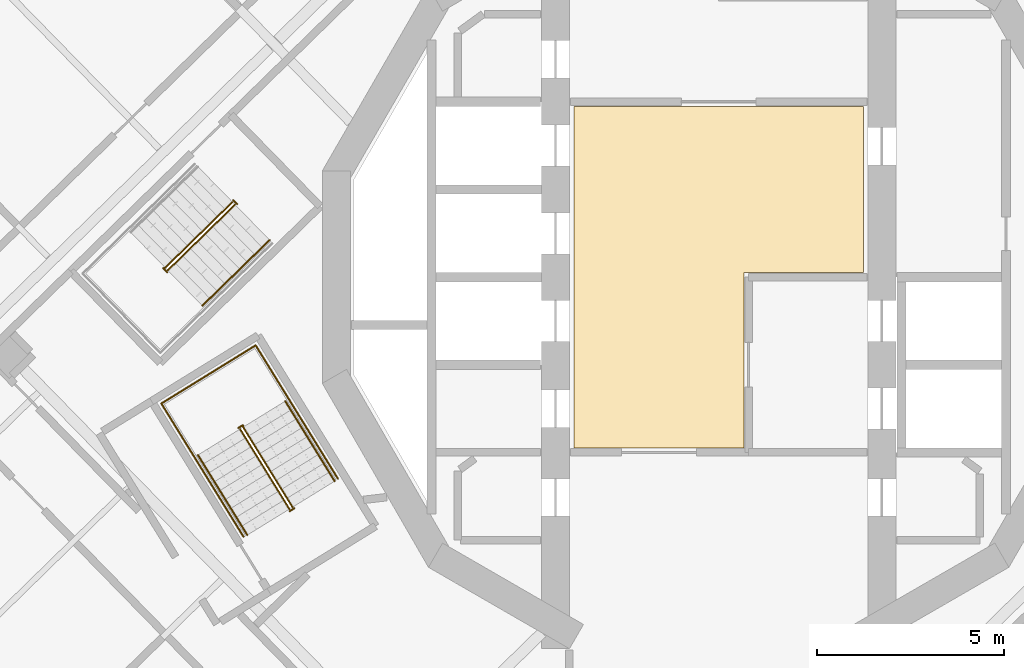
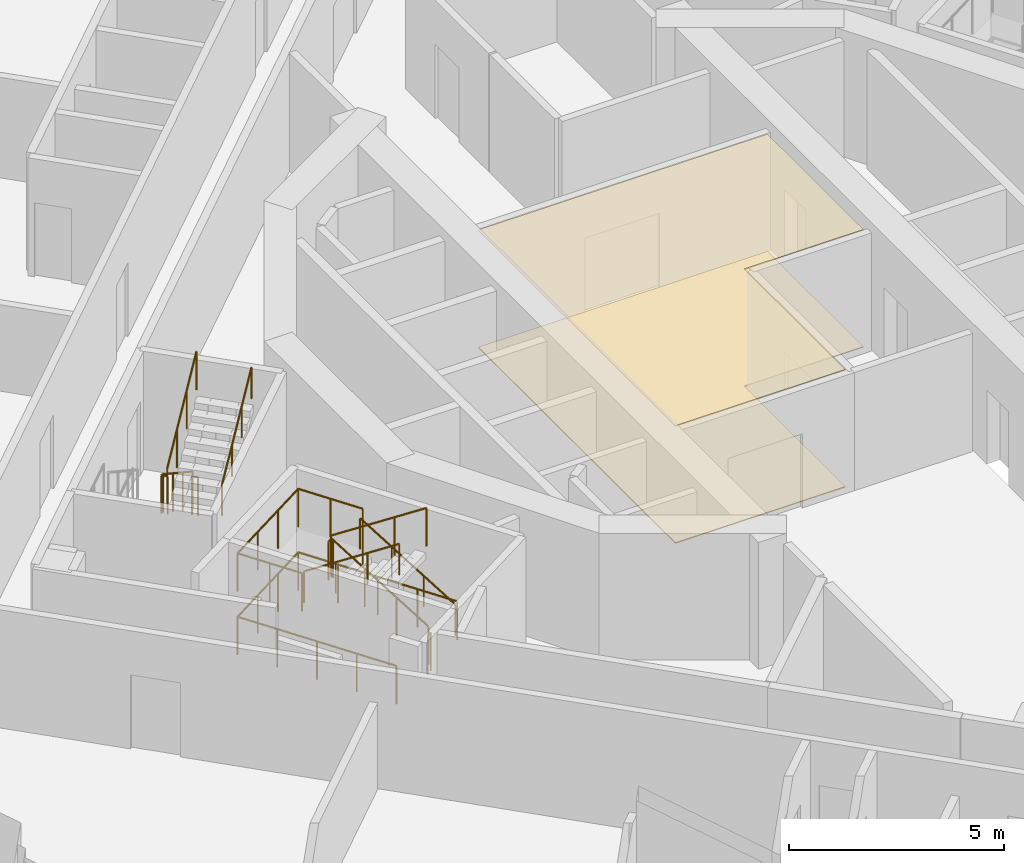
# One storey, part 16 of 20: 11 railings, 2 coverings.
"""IFC4 building model written with IfcOpenShell, lengths in metres."""

from ifc_helpers import new_model, si_unit, direction, frame, origin, origin_2d, place, context, subcontext, project, spatial, polyline, circle, outline, extrude, material, layer, layer_set, type_object, element, save


model = new_model("IFC4")

# Units and contexts
model_context = context("Model", 3, precision=1e-05, world=origin(), true_north=direction((0.0, 1.0)))
body_context = subcontext(model_context, "Body", "Model", "MODEL_VIEW")
ifc_project = project(units=[si_unit("LENGTHUNIT", "METRE"), si_unit("AREAUNIT", "SQUARE_METRE"), si_unit("VOLUMEUNIT", "CUBIC_METRE"), si_unit("PLANEANGLEUNIT", "RADIAN"), si_unit("MASSUNIT", "GRAM", prefix="KILO")], contexts=[model_context])

# Site, building, storey
site_placement = place(None, origin())
site = spatial("IfcSite", under=ifc_project, at=site_placement, CompositionType="ELEMENT")
building_placement = place(site_placement, origin())
building = spatial("IfcBuilding", under=site, at=building_placement, Name="Cantera Rosa Tower", CompositionType="ELEMENT")
storey_placement = place(building_placement, frame((0.0, 0.0, 212.60009765625)))
storey = spatial("IfcBuildingStorey", under=building, at=storey_placement, Name="L45", CompositionType="ELEMENT", Elevation=212.60009765625)

# Railings
ifc_material_1 = material(Name="Steel S355J2 (EN 10025-2)", Category="steel")
railing_type_1 = type_object("IfcRailingType", Name="STAIR GUARD 1100", PredefinedType="GUARDRAIL", material=ifc_material_1)
railing_1_placement = place(storey_placement, frame((-13.032958984375, 2.013427734375, 0.179931640625)))
element("IfcRailing", 1, at=railing_1_placement, inside=storey, type_object=railing_type_1, Name="L45 ST-43 stair guard 1", PredefinedType="GUARDRAIL", context=body_context, shape_type="SweptSolid", body=[
    extrude(circle(Radius=0.02392578125, at=origin_2d()), frame((0.0, 0.0, 1.076171875), z_axis=(-0.60169873645, -0.587844099419, 0.540738333515), x_axis=(0.698823692472, -0.715293958342, 0.0)), (0.0, 0.0, 1.0), 2.99560546875),
    extrude(circle(Radius=0.02392578125, at=origin_2d()), frame((-1.802490234375, -1.760986328125, 2.69580078125), z_axis=(-0.956987977523, -0.290127576896, 0.0), x_axis=(0.290127576896, -0.956987977523, 0.0)), (0.0, 0.0, 1.0), 0.056396484375),
    extrude(circle(Radius=0.02392578125, at=origin_2d()), frame((-1.8564453125, -1.77734375, 2.69580078125), z_axis=(0.698932947801, -0.715187202401, 0.0), x_axis=(0.715187202401, 0.698932947801, 0.0)), (0.0, 0.0, 1.0), 0.150146484375),
    extrude(circle(Radius=0.02099609375, at=origin_2d()), origin(), (0.0, 0.0, 1.0), 1.052001953125),
    extrude(circle(Radius=0.02099609375, at=origin_2d()), frame((-0.600830078125, -0.5869140625, 0.5400390625)), (0.0, 0.0, 1.0), 1.052001953125),
    extrude(circle(Radius=0.02099609375, at=origin_2d()), frame((-1.20166015625, -1.174072265625, 1.079833984375)), (0.0, 0.0, 1.0), 1.052001953125),
    extrude(circle(Radius=0.02099609375, at=origin_2d()), frame((-1.802490234375, -1.760986328125, 1.619873046875)), (0.0, 0.0, 1.0), 1.052001953125),
    extrude(circle(Radius=0.02099609375, at=origin_2d()), frame((-1.8564453125, -1.77734375, 1.619873046875)), (0.0, 0.0, 1.0), 1.052001953125),
    extrude(circle(Radius=0.02099609375, at=origin_2d()), frame((-1.75146484375, -1.884765625, 1.619873046875)), (0.0, 0.0, 1.0), 1.052001953125),
])
railing_2_placement = place(storey_placement, frame((-14.766845703125, 0.182373046875, 1.97998046875)))
element("IfcRailing", 2, at=railing_2_placement, inside=storey, type_object=railing_type_1, Name="L45 ST-43 stair guard 2", PredefinedType="GUARDRAIL", context=body_context, shape_type="SweptSolid", body=[
    extrude(circle(Radius=0.02392578125, at=origin_2d()), frame((0.0, 0.0, 1.076171875), z_axis=(0.60169873645, 0.587844099419, 0.540738333515), x_axis=(-0.698823692472, 0.715293958342, 0.0)), (0.0, 0.0, 1.0), 2.99560546875),
    extrude(circle(Radius=0.02099609375, at=origin_2d()), origin(), (0.0, 0.0, 1.0), 1.052001953125),
    extrude(circle(Radius=0.02099609375, at=origin_2d()), frame((0.600830078125, 0.5869140625, 0.5400390625)), (0.0, 0.0, 1.0), 1.052001953125),
    extrude(circle(Radius=0.02099609375, at=origin_2d()), frame((1.20166015625, 1.174072265625, 1.079833984375)), (0.0, 0.0, 1.0), 1.052001953125),
    extrude(circle(Radius=0.02099609375, at=origin_2d()), frame((1.802490234375, 1.760986328125, 1.619873046875)), (0.0, 0.0, 1.0), 1.052001953125),
])
railing_3_placement = place(storey_placement, frame((-13.01513671875, 2.06689453125, 0.0)))
element("IfcRailing", 3, at=railing_3_placement, inside=storey, type_object=railing_type_1, Name="L45 ST-43 stair guard 3", PredefinedType="GUARDRAIL", context=body_context, shape_type="SweptSolid", body=[
    extrude(circle(Radius=0.02392578125, at=origin_2d()), frame((0.0, 0.0, 1.076171875), z_axis=(0.698914008722, -0.715205710557, 0.0), x_axis=(0.715205710557, 0.698914008722, 0.0)), (0.0, 0.0, 1.0), 0.14990234375),
    extrude(circle(Radius=0.02099609375, at=origin_2d()), origin(), (0.0, 0.0, 1.0), 1.052001953125),
    extrude(circle(Radius=0.02099609375, at=origin_2d()), frame((0.104736328125, -0.107177734375, 0.0)), (0.0, 0.0, 1.0), 1.052001953125),
])
railing_4_placement = place(storey_placement, frame((-11.42333984375, -6.165771484375, 0.179931640625)))
element("IfcRailing", 4, at=railing_4_placement, inside=storey, type_object=railing_type_1, Name="L45 ST-44 stair guard 1", PredefinedType="GUARDRAIL", context=body_context, shape_type="SweptSolid", body=[
    extrude(circle(Radius=0.02392578125, at=origin_2d()), frame((0.0, 0.0, 1.076171875), z_axis=(-0.441628529057, 0.715945124149, 0.540728047664), x_axis=(-0.851102330005, -0.524999832248, 0.0)), (0.0, 0.0, 1.0), 2.99560546875),
    extrude(circle(Radius=0.02392578125, at=origin_2d()), frame((-1.322998046875, 2.144775390625, 2.69580078125), z_axis=(-0.073711968402, 0.997279572494, 0.0), x_axis=(-0.997279572494, -0.073711968402, 0.0)), (0.0, 0.0, 1.0), 0.056396484375),
    extrude(circle(Radius=0.02392578125, at=origin_2d()), frame((-1.3271484375, 2.200927734375, 2.69580078125), z_axis=(-0.851546489876, -0.524279100842, 0.0), x_axis=(0.524279100842, -0.851546489876, 0.0)), (0.0, 0.0, 1.0), 0.14990234375),
    extrude(circle(Radius=0.02099609375, at=origin_2d()), origin(), (0.0, 0.0, 1.0), 1.052001953125),
    extrude(circle(Radius=0.02099609375, at=origin_2d()), frame((-0.44091796875, 0.71484375, 0.5400390625)), (0.0, 0.0, 1.0), 1.052001953125),
    extrude(circle(Radius=0.02099609375, at=origin_2d()), frame((-0.882080078125, 1.429931640625, 1.079833984375)), (0.0, 0.0, 1.0), 1.052001953125),
    extrude(circle(Radius=0.02099609375, at=origin_2d()), frame((-1.322998046875, 2.144775390625, 1.619873046875)), (0.0, 0.0, 1.0), 1.052001953125),
    extrude(circle(Radius=0.02099609375, at=origin_2d()), frame((-1.3271484375, 2.200927734375, 1.619873046875)), (0.0, 0.0, 1.0), 1.052001953125),
    extrude(circle(Radius=0.02099609375, at=origin_2d()), frame((-1.454833984375, 2.122314453125, 1.619873046875)), (0.0, 0.0, 1.0), 1.052001953125),
])
railing_5_placement = place(storey_placement, frame((-12.82958984375, -4.072509765625, 1.97998046875)))
element("IfcRailing", 5, at=railing_5_placement, inside=storey, type_object=railing_type_1, Name="L45 ST-44 stair guard 2", PredefinedType="GUARDRAIL", context=body_context, shape_type="SweptSolid", body=[
    extrude(circle(Radius=0.02392578125, at=origin_2d()), frame((0.0, 0.0, 1.076171875), z_axis=(0.441562923896, -0.715970890813, 0.540747508315), x_axis=(0.851145618652, 0.524929648476, 0.0)), (0.0, 0.0, 1.0), 2.99560546875),
    extrude(circle(Radius=0.02099609375, at=origin_2d()), origin(), (0.0, 0.0, 1.0), 1.052001953125),
    extrude(circle(Radius=0.02099609375, at=origin_2d()), frame((0.44091796875, -0.71484375, 0.5400390625)), (0.0, 0.0, 1.0), 1.052001953125),
    extrude(circle(Radius=0.02099609375, at=origin_2d()), frame((0.8818359375, -1.429931640625, 1.079833984375)), (0.0, 0.0, 1.0), 1.052001953125),
    extrude(circle(Radius=0.02099609375, at=origin_2d()), frame((1.32275390625, -2.144775390625, 1.619873046875)), (0.0, 0.0, 1.0), 1.052001953125),
])
railing_6_placement = place(storey_placement, frame((-11.375, -6.19482421875, 0.0)))
element("IfcRailing", 6, at=railing_6_placement, inside=storey, type_object=railing_type_1, Name="L45 ST-44 stair guard 3", PredefinedType="GUARDRAIL", context=body_context, shape_type="SweptSolid", body=[
    extrude(circle(Radius=0.02392578125, at=origin_2d()), frame((0.0, 0.0, 1.076171875), z_axis=(-0.851546489876, -0.524279100842, 0.0), x_axis=(0.524279100842, -0.851546489876, 0.0)), (0.0, 0.0, 1.0), 0.14990234375),
    extrude(circle(Radius=0.02099609375, at=origin_2d()), origin(), (0.0, 0.0, 1.0), 1.052001953125),
    extrude(circle(Radius=0.02099609375, at=origin_2d()), frame((-0.127685546875, -0.07861328125, 0.0)), (0.0, 0.0, 1.0), 1.052001953125),
])
railing_7_placement = place(storey_placement, frame((-10.20751953125, -5.40185546875, 0.0)))
element("IfcRailing", 7, at=railing_7_placement, inside=storey, type_object=railing_type_1, Name="L45 ST-44 stair guard 4", PredefinedType="GUARDRAIL", context=body_context, shape_type="SweptSolid", body=[
    extrude(circle(Radius=0.02392578125, at=origin_2d()), frame((0.0, 0.0, 1.076171875), z_axis=(-0.524976478809, 0.851116735059, 0.0), x_axis=(-0.851116735059, -0.524976478809, 0.0)), (0.0, 0.0, 1.0), 4.197998046875),
    extrude(circle(Radius=0.02392578125, at=origin_2d()), frame((-2.203857421875, 3.572998046875, 1.076171875), z_axis=(-0.851132917336, -0.524950242429, 0.0), x_axis=(0.524950242429, -0.851132917336, 0.0)), (0.0, 0.0, 1.0), 2.969970703125),
    extrude(circle(Radius=0.02392578125, at=origin_2d()), frame((-4.731689453125, 2.013916015625, 1.076171875), z_axis=(0.524976478809, -0.851116735059, 0.0), x_axis=(0.851116735059, 0.524976478809, 0.0)), (0.0, 0.0, 1.0), 4.197998046875),
    extrude(circle(Radius=0.02099609375, at=origin_2d()), origin(), (0.0, 0.0, 1.0), 1.052001953125),
    extrude(circle(Radius=0.02099609375, at=origin_2d()), frame((-0.551025390625, 0.893310546875, 0.0)), (0.0, 0.0, 1.0), 1.052001953125),
    extrude(circle(Radius=0.02099609375, at=origin_2d()), frame((-1.10205078125, 1.78662109375, 0.0)), (0.0, 0.0, 1.0), 1.052001953125),
    extrude(circle(Radius=0.02099609375, at=origin_2d()), frame((-1.65283203125, 2.6796875, 0.0)), (0.0, 0.0, 1.0), 1.052001953125),
    extrude(circle(Radius=0.02099609375, at=origin_2d()), frame((-2.203857421875, 3.572998046875, 0.0)), (0.0, 0.0, 1.0), 1.052001953125),
    extrude(circle(Radius=0.02099609375, at=origin_2d()), frame((-3.04638671875, 3.05322265625, 0.0)), (0.0, 0.0, 1.0), 1.052001953125),
    extrude(circle(Radius=0.02099609375, at=origin_2d()), frame((-3.88916015625, 2.53369140625, 0.0)), (0.0, 0.0, 1.0), 1.052001953125),
    extrude(circle(Radius=0.02099609375, at=origin_2d()), frame((-4.731689453125, 2.013916015625, 0.0)), (0.0, 0.0, 1.0), 1.052001953125),
    extrude(circle(Radius=0.02099609375, at=origin_2d()), frame((-4.1806640625, 1.12060546875, 0.0)), (0.0, 0.0, 1.0), 1.052001953125),
    extrude(circle(Radius=0.02099609375, at=origin_2d()), frame((-3.6298828125, 0.2275390625, 0.0)), (0.0, 0.0, 1.0), 1.052001953125),
    extrude(circle(Radius=0.02099609375, at=origin_2d()), frame((-3.078857421875, -0.665771484375, 0.0)), (0.0, 0.0, 1.0), 1.052001953125),
    extrude(circle(Radius=0.02099609375, at=origin_2d()), frame((-2.52783203125, -1.55908203125, 0.0)), (0.0, 0.0, 1.0), 1.052001953125),
])
railing_8_placement = place(storey_placement, frame((-11.517822265625, -3.27734375, 1.7998046875)))
element("IfcRailing", 8, at=railing_8_placement, inside=storey, type_object=railing_type_1, Name="L45 ST-44 stair guard 5", PredefinedType="GUARDRAIL", context=body_context, shape_type="SweptSolid", body=[
    extrude(circle(Radius=0.02392578125, at=origin_2d()), frame((0.0, 0.0, 1.076171875), z_axis=(-0.525025534833, 0.851086474909, 0.0), x_axis=(-0.851086474909, -0.525025534833, 0.0)), (0.0, 0.0, 1.0), 1.701904296875),
    extrude(circle(Radius=0.02392578125, at=origin_2d()), frame((-0.8935546875, 1.448486328125, 1.076171875), z_axis=(-0.851132917336, -0.524950242429, 0.0), x_axis=(0.524950242429, -0.851132917336, 0.0)), (0.0, 0.0, 1.0), 2.969970703125),
    extrude(circle(Radius=0.02392578125, at=origin_2d()), frame((-3.42138671875, -0.110595703125, 1.076171875), z_axis=(0.524961441845, -0.851126009811, 0.0), x_axis=(0.851126009811, 0.524961441845, 0.0)), (0.0, 0.0, 1.0), 1.7021484375),
    extrude(circle(Radius=0.02099609375, at=origin_2d()), origin(), (0.0, 0.0, 1.0), 1.052001953125),
    extrude(circle(Radius=0.02099609375, at=origin_2d()), frame((-0.44677734375, 0.72412109375, 0.0)), (0.0, 0.0, 1.0), 1.052001953125),
    extrude(circle(Radius=0.02099609375, at=origin_2d()), frame((-0.8935546875, 1.448486328125, 0.0)), (0.0, 0.0, 1.0), 1.052001953125),
    extrude(circle(Radius=0.02099609375, at=origin_2d()), frame((-1.736083984375, 0.9287109375, 0.0)), (0.0, 0.0, 1.0), 1.052001953125),
    extrude(circle(Radius=0.02099609375, at=origin_2d()), frame((-2.578857421875, 0.4091796875, 0.0)), (0.0, 0.0, 1.0), 1.052001953125),
    extrude(circle(Radius=0.02099609375, at=origin_2d()), frame((-3.42138671875, -0.110595703125, 0.0)), (0.0, 0.0, 1.0), 1.052001953125),
    extrude(circle(Radius=0.02099609375, at=origin_2d()), frame((-2.974609375, -0.8349609375, 0.0)), (0.0, 0.0, 1.0), 1.052001953125),
    extrude(circle(Radius=0.02099609375, at=origin_2d()), frame((-2.52783203125, -1.559326171875, 0.0)), (0.0, 0.0, 1.0), 1.052001953125),
])
ifc_material_2 = material(Name="Steel S355J2 (EN 10025-2)", Category="steel")
railing_type_2 = type_object("IfcRailingType", Name="STAIR HANDRAIL 900", PredefinedType="HANDRAIL", material=ifc_material_2)
railing_9_placement = place(storey_placement, frame((-13.84033203125, -0.76611328125, 1.97998046875)))
element("IfcRailing", 9, at=railing_9_placement, inside=storey, type_object=railing_type_2, Name="L45 ST-43 stair handrail 2", PredefinedType="HANDRAIL", context=body_context, shape_type="SweptSolid", body=[
    extrude(circle(Radius=0.02392578125, at=origin_2d()), frame((0.0, 0.0, 0.8759765625), z_axis=(0.601750724892, 0.587815273381, 0.540711817397), x_axis=(-0.698775265409, 0.715341267126, 0.0)), (0.0, 0.0, 1.0), 2.995849609375),
    extrude(circle(Radius=0.02099609375, at=origin_2d()), origin(), (0.0, 0.0, 1.0), 0.851806640625),
    extrude(circle(Radius=0.02099609375, at=origin_2d()), frame((0.600830078125, 0.5869140625, 0.5400390625)), (0.0, 0.0, 1.0), 0.851806640625),
    extrude(circle(Radius=0.02099609375, at=origin_2d()), frame((1.201904296875, 1.174072265625, 1.079833984375)), (0.0, 0.0, 1.0), 0.851806640625),
    extrude(circle(Radius=0.02099609375, at=origin_2d()), frame((1.802734375, 1.760986328125, 1.619873046875)), (0.0, 0.0, 1.0), 0.851806640625),
])
railing_10_placement = place(storey_placement, frame((-10.294677734375, -5.4697265625, 0.179931640625)))
element("IfcRailing", 10, at=railing_10_placement, inside=storey, type_object=railing_type_2, Name="L45 ST-44 stair handrail 1", PredefinedType="HANDRAIL", context=body_context, shape_type="SweptSolid", body=[
    extrude(circle(Radius=0.02392578125, at=origin_2d()), frame((0.0, 0.0, 0.8759765625), z_axis=(-0.441628529057, 0.715945124149, 0.540728047664), x_axis=(-0.851102330005, -0.524999832248, 0.0)), (0.0, 0.0, 1.0), 2.99560546875),
    extrude(circle(Radius=0.02099609375, at=origin_2d()), origin(), (0.0, 0.0, 1.0), 0.851806640625),
    extrude(circle(Radius=0.02099609375, at=origin_2d()), frame((-0.44091796875, 0.71484375, 0.5400390625)), (0.0, 0.0, 1.0), 0.851806640625),
    extrude(circle(Radius=0.02099609375, at=origin_2d()), frame((-0.882080078125, 1.429931640625, 1.079833984375)), (0.0, 0.0, 1.0), 0.851806640625),
    extrude(circle(Radius=0.02099609375, at=origin_2d()), frame((-1.322998046875, 2.144775390625, 1.619873046875)), (0.0, 0.0, 1.0), 0.851806640625),
])
railing_11_placement = place(storey_placement, frame((-13.958251953125, -4.7685546875, 1.97998046875)))
element("IfcRailing", 11, at=railing_11_placement, inside=storey, type_object=railing_type_2, Name="L45 ST-44 stair handrail 2", PredefinedType="HANDRAIL", context=body_context, shape_type="SweptSolid", body=[
    extrude(circle(Radius=0.02392578125, at=origin_2d()), frame((0.0, 0.0, 0.8759765625), z_axis=(0.441628529057, -0.715945124149, 0.540728047664), x_axis=(0.851102330005, 0.524999832248, 0.0)), (0.0, 0.0, 1.0), 2.99560546875),
    extrude(circle(Radius=0.02099609375, at=origin_2d()), origin(), (0.0, 0.0, 1.0), 0.851806640625),
    extrude(circle(Radius=0.02099609375, at=origin_2d()), frame((0.44091796875, -0.71484375, 0.5400390625)), (0.0, 0.0, 1.0), 0.851806640625),
    extrude(circle(Radius=0.02099609375, at=origin_2d()), frame((0.882080078125, -1.429931640625, 1.079833984375)), (0.0, 0.0, 1.0), 0.851806640625),
    extrude(circle(Radius=0.02099609375, at=origin_2d()), frame((1.322998046875, -2.144775390625, 1.619873046875)), (0.0, 0.0, 1.0), 0.851806640625),
])

# Coverings
ifc_material_3 = material(Name="Limestone paving", Category="masonry")
ifc_layer_1 = layer(ifc_material_3, 0.02490234375)
ifc_layer_set_1 = layer_set([ifc_layer_1], Name="STONE FLOOR FINISH 25")
covering_type_1 = type_object("IfcCoveringType", Name="STONE FLOOR FINISH 25", PredefinedType="FLOORING", material=ifc_layer_set_1)
covering_1_placement = place(storey_placement, origin())
element("IfcCovering", 12, at=covering_1_placement, inside=storey, type_object=covering_type_1, Name="STONE FLOOR FINISH L45", PredefinedType="FLOORING", context=body_context, shape_type="SweptSolid", body=[
    extrude(outline(polyline([(3.8798828125, 4.580078125), (3.8798828125, 0.1201171875), (0.679931640625, 0.1201171875), (0.679931640625, -4.580078125), (-3.8798828125, -4.580078125), (-3.8798828125, 4.580078125), (3.8798828125, 4.580078125)])), origin(), (0.0, 0.0, 1.0), 0.02490234375),
])
ifc_material_4 = material(Name="Gypsum ceiling tile")
ifc_layer_2 = layer(ifc_material_4, 0.030029296875)
ifc_layer_set_2 = layer_set([ifc_layer_2], Name="SUSPENDED CEILING 30")
covering_type_2 = type_object("IfcCoveringType", Name="SUSPENDED CEILING 30", PredefinedType="CEILING", material=ifc_layer_set_2)
covering_2_placement = place(storey_placement, frame((0.0, 0.0, 3.31982421875)))
element("IfcCovering", 13, at=covering_2_placement, inside=storey, type_object=covering_type_2, Name="SUSPENDED CEILING L45", PredefinedType="CEILING", context=body_context, shape_type="SweptSolid", body=[
    extrude(outline(polyline([(3.8798828125, 4.580078125), (3.8798828125, 0.1201171875), (0.679931640625, 0.1201171875), (0.679931640625, -4.580078125), (-3.8798828125, -4.580078125), (-3.8798828125, 4.580078125), (3.8798828125, 4.580078125)])), origin(), (0.0, 0.0, 1.0), 0.030029296875),
])

save(model, "model.ifc")
